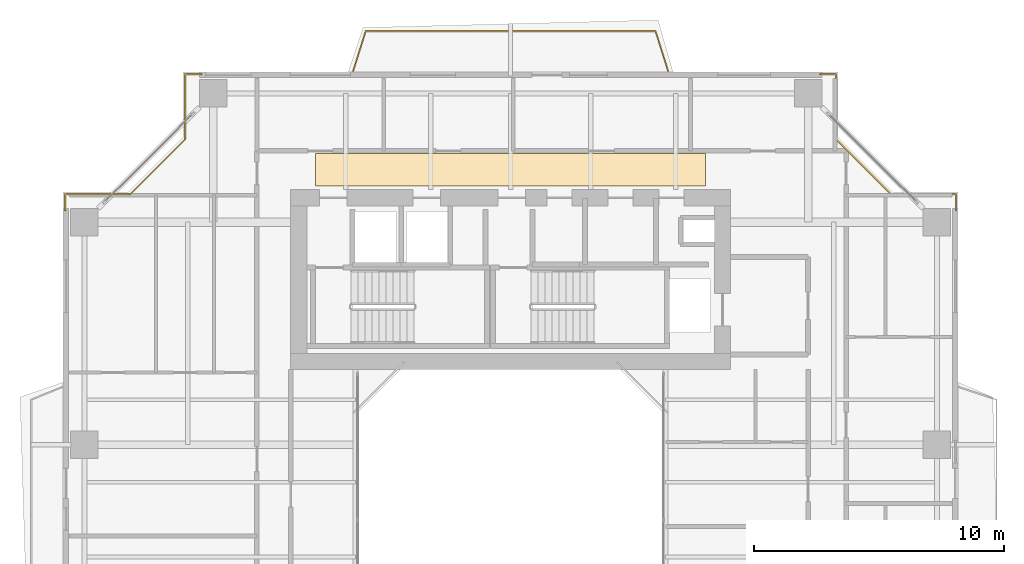
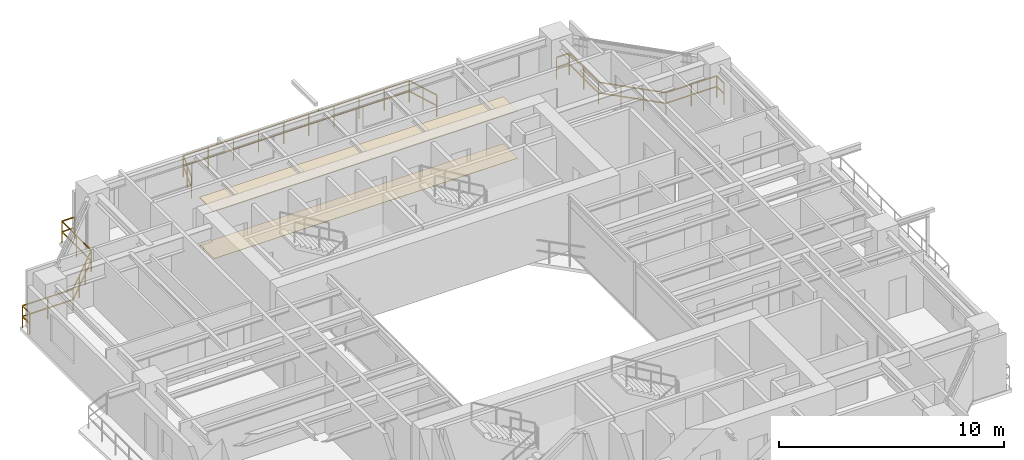
# One storey, part 17 of 17: 3 railings, 2 coverings.
"""IFC4 building model written with IfcOpenShell, lengths in metres."""

from ifc_helpers import new_model, si_unit, direction, frame, origin, origin_2d, place, context, subcontext, project, spatial, polyline, rectangle, outline, extrude, material, layer, layer_set, type_object, element, save


model = new_model("IFC4")

# Units and contexts
model_context = context("Model", 3, precision=1e-05, world=origin(), true_north=direction((0.0, 1.0)))
body_context = subcontext(model_context, "Body", "Model", "MODEL_VIEW")
ifc_project = project(units=[si_unit("LENGTHUNIT", "METRE"), si_unit("AREAUNIT", "SQUARE_METRE"), si_unit("VOLUMEUNIT", "CUBIC_METRE"), si_unit("PLANEANGLEUNIT", "RADIAN"), si_unit("MASSUNIT", "GRAM", prefix="KILO"), si_unit("THERMODYNAMICTEMPERATUREUNIT", "KELVIN"), si_unit("POWERUNIT", "WATT")], contexts=[model_context])

# Site, building, storey
site_placement = place(None, origin())
site = spatial("IfcSite", under=ifc_project, at=site_placement, CompositionType="ELEMENT")
building_placement = place(site_placement, origin())
building = spatial("IfcBuilding", under=site, at=building_placement, Name="Qiaomeng Ring Towers", CompositionType="ELEMENT")
storey_placement = place(building_placement, frame((0.0, 0.0, 119.75)))
storey = spatial("IfcBuildingStorey", under=building, at=storey_placement, Name="L34", CompositionType="ELEMENT", Elevation=119.75)

# Coverings
ifc_material_1 = material(Name="Mineral fibre acoustic ceiling tile", Category="gypsum")
ifc_layer_1 = layer(ifc_material_1, 0.02490234375, Name="Mineral fibre acoustic ceiling tile")
ifc_layer_set_1 = layer_set([ifc_layer_1], Name="Mineral fibre acoustic ceiling tile")
covering_type_1 = type_object("IfcCoveringType", Name="ARC-COV-CEIL1", PredefinedType="CEILING", material=ifc_layer_set_1)
covering_1_placement = place(storey_placement, frame((0.0, 0.0, 2.550048828125)))
element("IfcCovering", 1, at=covering_1_placement, inside=storey, type_object=covering_type_1, Name="L34 Corridor Acoustic Ceiling", PredefinedType="CEILING", context=body_context, shape_type="SweptSolid", body=[
    extrude(outline(polyline([(11.199951171875, 36.35009765625), (11.199951171875, 37.64990234375), (26.800048828125, 37.64990234375), (26.800048828125, 36.35009765625), (11.199951171875, 36.35009765625)])), origin(), (0.0, 0.0, 1.0), 0.02490234375),
])
ifc_material_2 = material(Name="Vitrified porcelain floor tile", Category="ceramic")
ifc_layer_2 = layer(ifc_material_2, 0.02001953125, Name="Vitrified porcelain floor tile")
ifc_layer_set_2 = layer_set([ifc_layer_2], Name="Vitrified porcelain floor tile")
covering_type_2 = type_object("IfcCoveringType", Name="ARC-COV-FLR1", PredefinedType="FLOORING", material=ifc_layer_set_2)
covering_2_placement = place(storey_placement, origin())
element("IfcCovering", 2, at=covering_2_placement, inside=storey, type_object=covering_type_2, Name="L34 Corridor Stone Flooring", PredefinedType="FLOORING", context=body_context, shape_type="SweptSolid", body=[
    extrude(outline(polyline([(11.199951171875, 36.35009765625), (11.199951171875, 37.64990234375), (26.800048828125, 37.64990234375), (26.800048828125, 36.35009765625), (11.199951171875, 36.35009765625)])), origin(), (0.0, 0.0, 1.0), 0.02001953125),
])

# Railings
ifc_material_3 = material(Name="Low-E pale-green laminated safety glass", Category="glass")
railing_type = type_object("IfcRailingType", Name="ARC-RL-BAL1", PredefinedType="BALUSTRADE", material=ifc_material_3)
railing_1_placement = place(storey_placement, frame((36.820068359375, 35.3701171875, 0.0)))
element("IfcRailing", 3, at=railing_1_placement, inside=storey, type_object=railing_type, Name="L34 Balustrade ARC-BAL-NOTCH1-L34-NE", PredefinedType="BALUSTRADE", context=body_context, shape_type="SweptSolid", body=[
    extrude(rectangle(XDim=0.048095703125, YDim=0.048095703125, at=origin_2d()), frame((0.0, 0.0, 1.17578125), z_axis=(0.0, 1.0, 0.0), x_axis=(-1.0, 0.0, 0.0)), (0.0, 0.0, 1.0), 0.64990234375),
    extrude(rectangle(XDim=0.048095703125, YDim=0.048095703125, at=origin_2d()), frame((0.0, 0.0, 0.60009765625), z_axis=(0.0, 1.0, 0.0), x_axis=(-1.0, 0.0, 0.0)), (0.0, 0.0, 1.0), 0.64990234375),
    extrude(rectangle(XDim=0.048095703125, YDim=0.048095703125, at=origin_2d()), frame((0.0, 0.64990234375, 1.17578125), z_axis=(-1.0, 0.0, 0.0), x_axis=(0.0, -1.0, 0.0)), (0.0, 0.0, 1.0), 2.60009765625),
    extrude(rectangle(XDim=0.048095703125, YDim=0.048095703125, at=origin_2d()), frame((0.0, 0.64990234375, 0.60009765625), z_axis=(-1.0, 0.0, 0.0), x_axis=(0.0, -1.0, 0.0)), (0.0, 0.0, 1.0), 2.60009765625),
    extrude(rectangle(XDim=0.048095703125, YDim=0.048095703125, at=origin_2d()), frame((-2.60009765625, 0.64990234375, 1.17578125), z_axis=(-0.707106781187, 0.707106781187, 0.0), x_axis=(-0.707106781187, -0.707106781187, 0.0)), (0.0, 0.0, 1.0), 3.111083984375),
    extrude(rectangle(XDim=0.048095703125, YDim=0.048095703125, at=origin_2d()), frame((-2.60009765625, 0.64990234375, 0.60009765625), z_axis=(-0.707106781187, 0.707106781187, 0.0), x_axis=(-0.707106781187, -0.707106781187, 0.0)), (0.0, 0.0, 1.0), 3.111083984375),
    extrude(rectangle(XDim=0.048095703125, YDim=0.048095703125, at=origin_2d()), frame((-4.800048828125, 2.849853515625, 1.17578125), z_axis=(0.0, 1.0, 0.0), x_axis=(-1.0, 0.0, 0.0)), (0.0, 0.0, 1.0), 2.60009765625),
    extrude(rectangle(XDim=0.048095703125, YDim=0.048095703125, at=origin_2d()), frame((-4.800048828125, 2.849853515625, 0.60009765625), z_axis=(0.0, 1.0, 0.0), x_axis=(-1.0, 0.0, 0.0)), (0.0, 0.0, 1.0), 2.60009765625),
    extrude(rectangle(XDim=0.048095703125, YDim=0.048095703125, at=origin_2d()), frame((-4.800048828125, 5.449951171875, 1.17578125), z_axis=(-1.0, 0.0, 0.0), x_axis=(0.0, -1.0, 0.0)), (0.0, 0.0, 1.0), 0.64990234375),
    extrude(rectangle(XDim=0.048095703125, YDim=0.048095703125, at=origin_2d()), frame((-4.800048828125, 5.449951171875, 0.60009765625), z_axis=(-1.0, 0.0, 0.0), x_axis=(0.0, -1.0, 0.0)), (0.0, 0.0, 1.0), 0.64990234375),
    extrude(rectangle(XDim=0.0419921875, YDim=0.0419921875, at=origin_2d()), origin(), (0.0, 0.0, 1.0), 1.15185546875),
    extrude(rectangle(XDim=0.0419921875, YDim=0.0419921875, at=origin_2d()), frame((0.0, 0.64990234375, 0.0)), (0.0, 0.0, 1.0), 1.15185546875),
    extrude(rectangle(XDim=0.0419921875, YDim=0.0419921875, at=origin_2d()), frame((-1.300048828125, 0.64990234375, 0.0)), (0.0, 0.0, 1.0), 1.15185546875),
    extrude(rectangle(XDim=0.0419921875, YDim=0.0419921875, at=origin_2d()), frame((-2.60009765625, 0.64990234375, 0.0)), (0.0, 0.0, 1.0), 1.15185546875),
    extrude(rectangle(XDim=0.0419921875, YDim=0.0419921875, at=origin_2d()), frame((-3.33349609375, 1.38330078125, 0.0)), (0.0, 0.0, 1.0), 1.15185546875),
    extrude(rectangle(XDim=0.0419921875, YDim=0.0419921875, at=origin_2d()), frame((-4.066650390625, 2.116455078125, 0.0)), (0.0, 0.0, 1.0), 1.15185546875),
    extrude(rectangle(XDim=0.0419921875, YDim=0.0419921875, at=origin_2d()), frame((-4.800048828125, 2.849853515625, 0.0)), (0.0, 0.0, 1.0), 1.15185546875),
    extrude(rectangle(XDim=0.0419921875, YDim=0.0419921875, at=origin_2d()), frame((-4.800048828125, 4.14990234375, 0.0)), (0.0, 0.0, 1.0), 1.15185546875),
    extrude(rectangle(XDim=0.0419921875, YDim=0.0419921875, at=origin_2d()), frame((-4.800048828125, 5.449951171875, 0.0)), (0.0, 0.0, 1.0), 1.15185546875),
    extrude(rectangle(XDim=0.0419921875, YDim=0.0419921875, at=origin_2d()), frame((-5.449951171875, 5.449951171875, 0.0)), (0.0, 0.0, 1.0), 1.15185546875),
])
railing_2_placement = place(storey_placement, frame((6.6298828125, 40.820068359375, 0.0)))
element("IfcRailing", 4, at=railing_2_placement, inside=storey, type_object=railing_type, Name="L34 Balustrade ARC-BAL-NOTCH1-L34-NW", PredefinedType="BALUSTRADE", context=body_context, shape_type="SweptSolid", body=[
    extrude(rectangle(XDim=0.048095703125, YDim=0.048095703125, at=origin_2d()), frame((0.0, 0.0, 1.17578125), z_axis=(-1.0, 0.0, 0.0), x_axis=(0.0, -1.0, 0.0)), (0.0, 0.0, 1.0), 0.64990234375),
    extrude(rectangle(XDim=0.048095703125, YDim=0.048095703125, at=origin_2d()), frame((0.0, 0.0, 0.60009765625), z_axis=(-1.0, 0.0, 0.0), x_axis=(0.0, -1.0, 0.0)), (0.0, 0.0, 1.0), 0.64990234375),
    extrude(rectangle(XDim=0.048095703125, YDim=0.048095703125, at=origin_2d()), frame((-0.64990234375, 0.0, 1.17578125), z_axis=(0.0, -1.0, 0.0), x_axis=(1.0, 0.0, 0.0)), (0.0, 0.0, 1.0), 2.60009765625),
    extrude(rectangle(XDim=0.048095703125, YDim=0.048095703125, at=origin_2d()), frame((-0.64990234375, 0.0, 0.60009765625), z_axis=(0.0, -1.0, 0.0), x_axis=(1.0, 0.0, 0.0)), (0.0, 0.0, 1.0), 2.60009765625),
    extrude(rectangle(XDim=0.048095703125, YDim=0.048095703125, at=origin_2d()), frame((-0.64990234375, -2.60009765625, 1.17578125), z_axis=(-0.707106781187, -0.707106781187, 0.0), x_axis=(0.707106781187, -0.707106781187, 0.0)), (0.0, 0.0, 1.0), 3.111083984375),
    extrude(rectangle(XDim=0.048095703125, YDim=0.048095703125, at=origin_2d()), frame((-0.64990234375, -2.60009765625, 0.60009765625), z_axis=(-0.707106781187, -0.707106781187, 0.0), x_axis=(0.707106781187, -0.707106781187, 0.0)), (0.0, 0.0, 1.0), 3.111083984375),
    extrude(rectangle(XDim=0.048095703125, YDim=0.048095703125, at=origin_2d()), frame((-2.849853515625, -4.800048828125, 1.17578125), z_axis=(-1.0, 0.0, 0.0), x_axis=(0.0, -1.0, 0.0)), (0.0, 0.0, 1.0), 2.60009765625),
    extrude(rectangle(XDim=0.048095703125, YDim=0.048095703125, at=origin_2d()), frame((-2.849853515625, -4.800048828125, 0.60009765625), z_axis=(-1.0, 0.0, 0.0), x_axis=(0.0, -1.0, 0.0)), (0.0, 0.0, 1.0), 2.60009765625),
    extrude(rectangle(XDim=0.048095703125, YDim=0.048095703125, at=origin_2d()), frame((-5.449951171875, -4.800048828125, 1.17578125), z_axis=(0.0, -1.0, 0.0), x_axis=(1.0, 0.0, 0.0)), (0.0, 0.0, 1.0), 0.64990234375),
    extrude(rectangle(XDim=0.048095703125, YDim=0.048095703125, at=origin_2d()), frame((-5.449951171875, -4.800048828125, 0.60009765625), z_axis=(0.0, -1.0, 0.0), x_axis=(1.0, 0.0, 0.0)), (0.0, 0.0, 1.0), 0.64990234375),
    extrude(rectangle(XDim=0.0419921875, YDim=0.0419921875, at=origin_2d()), origin(), (0.0, 0.0, 1.0), 1.15185546875),
    extrude(rectangle(XDim=0.0419921875, YDim=0.0419921875, at=origin_2d()), frame((-0.64990234375, 0.0, 0.0)), (0.0, 0.0, 1.0), 1.15185546875),
    extrude(rectangle(XDim=0.0419921875, YDim=0.0419921875, at=origin_2d()), frame((-0.64990234375, -1.300048828125, 0.0)), (0.0, 0.0, 1.0), 1.15185546875),
    extrude(rectangle(XDim=0.0419921875, YDim=0.0419921875, at=origin_2d()), frame((-0.64990234375, -2.60009765625, 0.0)), (0.0, 0.0, 1.0), 1.15185546875),
    extrude(rectangle(XDim=0.0419921875, YDim=0.0419921875, at=origin_2d()), frame((-1.38330078125, -3.33349609375, 0.0)), (0.0, 0.0, 1.0), 1.15185546875),
    extrude(rectangle(XDim=0.0419921875, YDim=0.0419921875, at=origin_2d()), frame((-2.116455078125, -4.066650390625, 0.0)), (0.0, 0.0, 1.0), 1.15185546875),
    extrude(rectangle(XDim=0.0419921875, YDim=0.0419921875, at=origin_2d()), frame((-2.849853515625, -4.800048828125, 0.0)), (0.0, 0.0, 1.0), 1.15185546875),
    extrude(rectangle(XDim=0.0419921875, YDim=0.0419921875, at=origin_2d()), frame((-4.14990234375, -4.800048828125, 0.0)), (0.0, 0.0, 1.0), 1.15185546875),
    extrude(rectangle(XDim=0.0419921875, YDim=0.0419921875, at=origin_2d()), frame((-5.449951171875, -4.800048828125, 0.0)), (0.0, 0.0, 1.0), 1.15185546875),
    extrude(rectangle(XDim=0.0419921875, YDim=0.0419921875, at=origin_2d()), frame((-5.449951171875, -5.449951171875, 0.0)), (0.0, 0.0, 1.0), 1.15185546875),
])
railing_3_placement = place(storey_placement, frame((12.699951171875, 40.949951171875, 0.0)))
element("IfcRailing", 5, at=railing_3_placement, inside=storey, type_object=railing_type, Name="L34 Balustrade ARC-BAL-L34-T1-N", PredefinedType="BALUSTRADE", context=body_context, shape_type="SweptSolid", body=[
    extrude(rectangle(XDim=0.048095703125, YDim=0.048095703125, at=origin_2d()), frame((0.0, 0.0, 1.17578125), z_axis=(0.299967512283, 0.953949417723, 0.0), x_axis=(-0.953949417723, 0.299967512283, 0.0)), (0.0, 0.0, 1.0), 1.666748046875),
    extrude(rectangle(XDim=0.048095703125, YDim=0.048095703125, at=origin_2d()), frame((0.0, 0.0, 0.60009765625), z_axis=(0.299967512283, 0.953949417723, 0.0), x_axis=(-0.953949417723, 0.299967512283, 0.0)), (0.0, 0.0, 1.0), 1.666748046875),
    extrude(rectangle(XDim=0.048095703125, YDim=0.048095703125, at=origin_2d()), frame((0.5, 1.590087890625, 1.17578125), z_axis=(1.0, 0.0, 0.0), x_axis=(0.0, 1.0, 0.0)), (0.0, 0.0, 1.0), 11.60009765625),
    extrude(rectangle(XDim=0.048095703125, YDim=0.048095703125, at=origin_2d()), frame((0.5, 1.590087890625, 0.60009765625), z_axis=(1.0, 0.0, 0.0), x_axis=(0.0, 1.0, 0.0)), (0.0, 0.0, 1.0), 11.60009765625),
    extrude(rectangle(XDim=0.048095703125, YDim=0.048095703125, at=origin_2d()), frame((12.10009765625, 1.590087890625, 1.17578125), z_axis=(0.299967512283, -0.953949417723, 0.0), x_axis=(0.953949417723, 0.299967512283, 0.0)), (0.0, 0.0, 1.0), 1.666748046875),
    extrude(rectangle(XDim=0.048095703125, YDim=0.048095703125, at=origin_2d()), frame((12.10009765625, 1.590087890625, 0.60009765625), z_axis=(0.299967512283, -0.953949417723, 0.0), x_axis=(0.953949417723, 0.299967512283, 0.0)), (0.0, 0.0, 1.0), 1.666748046875),
    extrude(rectangle(XDim=0.0419921875, YDim=0.0419921875, at=origin_2d()), origin(), (0.0, 0.0, 1.0), 1.15185546875),
    extrude(rectangle(XDim=0.0419921875, YDim=0.0419921875, at=origin_2d()), frame((0.25, 0.794921875, 0.0)), (0.0, 0.0, 1.0), 1.15185546875),
    extrude(rectangle(XDim=0.0419921875, YDim=0.0419921875, at=origin_2d()), frame((0.5, 1.590087890625, 0.0)), (0.0, 0.0, 1.0), 1.15185546875),
    extrude(rectangle(XDim=0.0419921875, YDim=0.0419921875, at=origin_2d()), frame((1.788818359375, 1.590087890625, 0.0)), (0.0, 0.0, 1.0), 1.15185546875),
    extrude(rectangle(XDim=0.0419921875, YDim=0.0419921875, at=origin_2d()), frame((3.077880859375, 1.590087890625, 0.0)), (0.0, 0.0, 1.0), 1.15185546875),
    extrude(rectangle(XDim=0.0419921875, YDim=0.0419921875, at=origin_2d()), frame((4.36669921875, 1.590087890625, 0.0)), (0.0, 0.0, 1.0), 1.15185546875),
    extrude(rectangle(XDim=0.0419921875, YDim=0.0419921875, at=origin_2d()), frame((5.655517578125, 1.590087890625, 0.0)), (0.0, 0.0, 1.0), 1.15185546875),
    extrude(rectangle(XDim=0.0419921875, YDim=0.0419921875, at=origin_2d()), frame((6.944580078125, 1.590087890625, 0.0)), (0.0, 0.0, 1.0), 1.15185546875),
    extrude(rectangle(XDim=0.0419921875, YDim=0.0419921875, at=origin_2d()), frame((8.2333984375, 1.590087890625, 0.0)), (0.0, 0.0, 1.0), 1.15185546875),
    extrude(rectangle(XDim=0.0419921875, YDim=0.0419921875, at=origin_2d()), frame((9.522216796875, 1.590087890625, 0.0)), (0.0, 0.0, 1.0), 1.15185546875),
    extrude(rectangle(XDim=0.0419921875, YDim=0.0419921875, at=origin_2d()), frame((10.811279296875, 1.590087890625, 0.0)), (0.0, 0.0, 1.0), 1.15185546875),
    extrude(rectangle(XDim=0.0419921875, YDim=0.0419921875, at=origin_2d()), frame((12.10009765625, 1.590087890625, 0.0)), (0.0, 0.0, 1.0), 1.15185546875),
    extrude(rectangle(XDim=0.0419921875, YDim=0.0419921875, at=origin_2d()), frame((12.35009765625, 0.794921875, 0.0)), (0.0, 0.0, 1.0), 1.15185546875),
    extrude(rectangle(XDim=0.0419921875, YDim=0.0419921875, at=origin_2d()), frame((12.60009765625, 0.0, 0.0)), (0.0, 0.0, 1.0), 1.15185546875),
])

save(model, "model.ifc")
